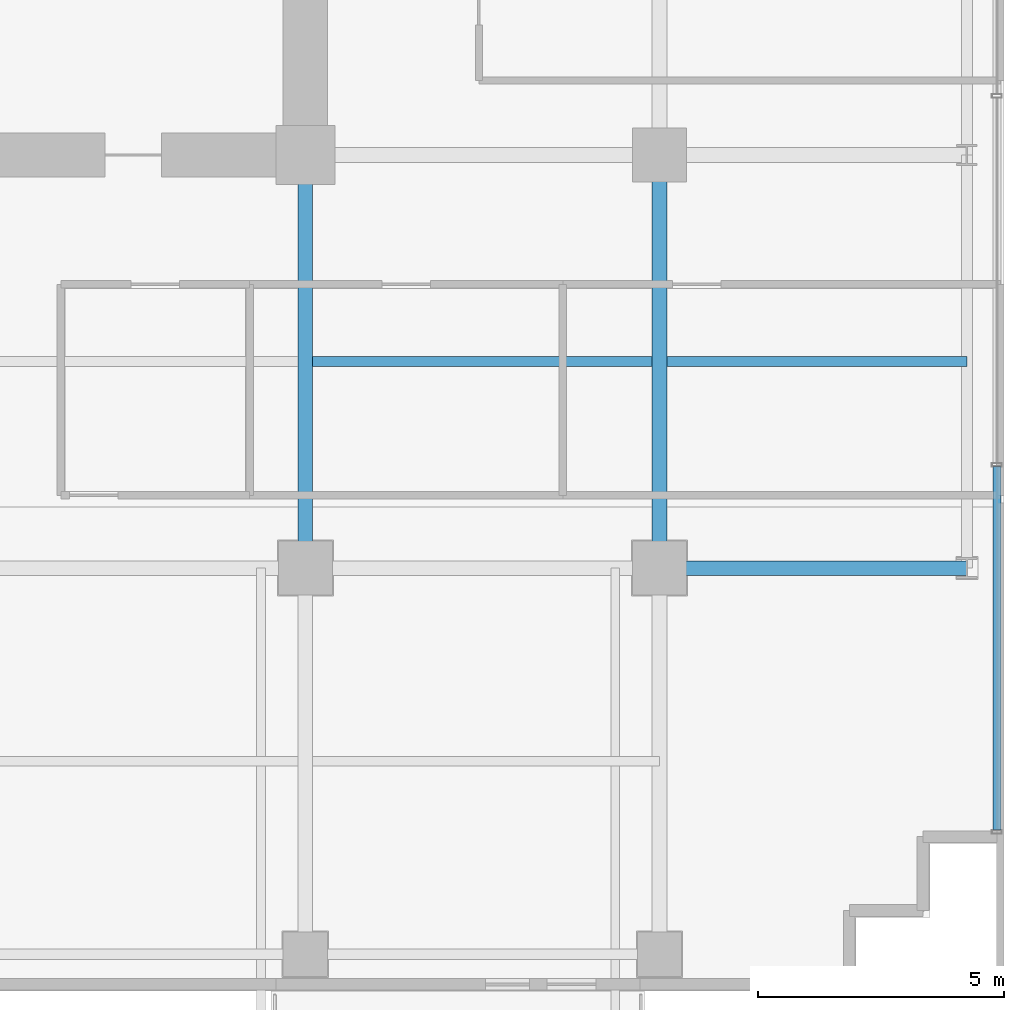
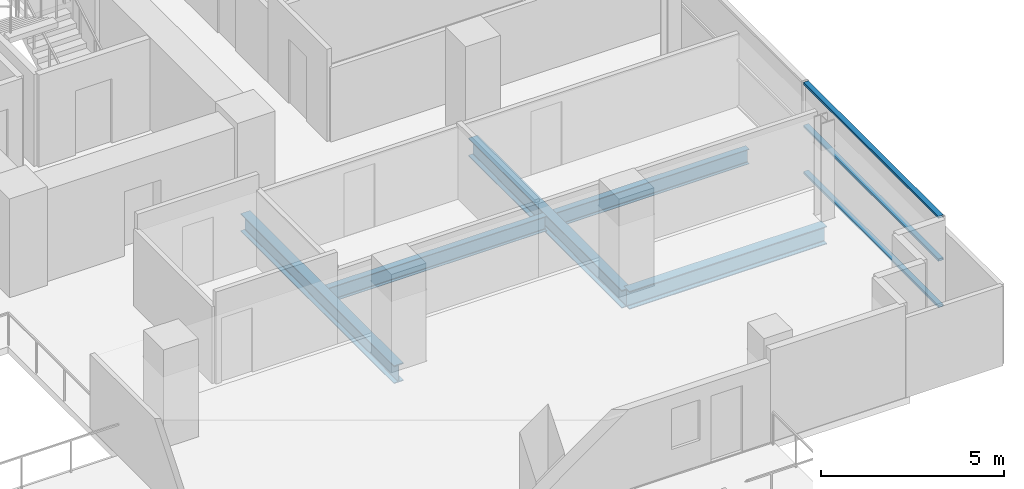
# One storey, part 12 of 31: 5 beams, 3 members, 1 element without a shape of its own.
"""IFC4 building model written with IfcOpenShell, lengths in metres."""

from ifc_helpers import new_model, si_unit, direction, frame, origin, origin_2d, place, context, subcontext, project, spatial, hollow_rectangle, i_section, extrude, source, transform, mapped, material, layer, layer_set, material_profile, profile_set, type_object, element, aggregate, save


model = new_model("IFC4")

# Units and contexts
model_context = context("Model", 3, precision=1e-05, world=origin(), true_north=direction((0.0, 1.0)))
body_context = subcontext(model_context, "Body", "Model", "MODEL_VIEW")
ifc_project = project(units=[si_unit("LENGTHUNIT", "METRE"), si_unit("AREAUNIT", "SQUARE_METRE"), si_unit("VOLUMEUNIT", "CUBIC_METRE"), si_unit("PLANEANGLEUNIT", "RADIAN"), si_unit("MASSUNIT", "GRAM", prefix="KILO")], contexts=[model_context])

# Site, building, storey
site_placement = place(None, origin())
site = spatial("IfcSite", under=ifc_project, at=site_placement, CompositionType="ELEMENT")
building_placement = place(site_placement, origin())
building = spatial("IfcBuilding", under=site, at=building_placement, Name="Zarnakvel Exchange Tower", CompositionType="ELEMENT")
storey_placement = place(building_placement, frame((0.0, 0.0, 47.199951171875)))
storey = spatial("IfcBuildingStorey", under=building, at=storey_placement, Name="L12", CompositionType="ELEMENT", Elevation=47.199951171875)

# Beams
ifc_material_1 = material(Name="Steel S355", Category="steel")
ifc_material_profile_1 = material_profile(ifc_material_1, i_section(OverallWidth=0.199951171875, OverallDepth=0.5, WebThickness=0.01025390625, FlangeThickness=0.01611328125, FilletRadius=0.02099609375, at=origin_2d()))
ifc_profile_set_1 = profile_set([ifc_material_profile_1], Name="Steel S355")
beam_type_1 = type_object("IfcBeamType", Name="B-04", PredefinedType="JOIST", material=ifc_profile_set_1)
beam_1_placement = place(storey_placement, frame((14.550048828125, -5.39990234375, -0.474853515625), z_axis=(1.0, 0.0, 0.0), x_axis=(0.0, 1.0, 0.0)))
element("IfcBeam", 1, at=beam_1_placement, inside=storey, type_object=beam_type_1, Name="L12 Composite Floor Secondary Joist", PredefinedType="JOIST", context=body_context, shape_type="SweptSolid", body=[
    extrude(i_section(OverallWidth=0.199951171875, OverallDepth=0.5, WebThickness=0.01025390625, FlangeThickness=0.01611328125, FilletRadius=0.02099609375, at=origin_2d()), origin(), (0.0, 0.0, 1.0), 6.89990234375),
])
beam_2_placement = place(storey_placement, frame((21.75, -5.39990234375, -0.474853515625), z_axis=(1.0, 0.0, 0.0), x_axis=(0.0, 1.0, 0.0)))
element("IfcBeam", 2, at=beam_2_placement, inside=storey, type_object=beam_type_1, Name="L12 Composite Floor Secondary Joist", PredefinedType="JOIST", context=body_context, shape_type="SweptSolid", body=[
    extrude(i_section(OverallWidth=0.199951171875, OverallDepth=0.5, WebThickness=0.01025390625, FlangeThickness=0.01611328125, FilletRadius=0.02099609375, at=origin_2d()), origin(), (0.0, 0.0, 1.0), 6.10009765625),
])
ifc_material_profile_2 = material_profile(ifc_material_1, i_section(OverallWidth=0.300048828125, OverallDepth=0.60009765625, WebThickness=0.015380859375, FlangeThickness=0.030029296875, FilletRadius=0.027099609375, at=origin_2d()))
ifc_profile_set_2 = profile_set([ifc_material_profile_2], Name="Steel S355")
beam_type_2 = type_object("IfcBeamType", Name="G-04", PredefinedType="BEAM", material=ifc_profile_set_2)
beam_3_placement = place(storey_placement, frame((21.60009765625, -9.60009765625, -0.52490234375), z_axis=(1.0, 0.0, 0.0), x_axis=(0.0, 1.0, 0.0)))
element("IfcBeam", 3, at=beam_3_placement, inside=storey, type_object=beam_type_2, Name="L12 Tower E-W Frame Beam", PredefinedType="BEAM", context=body_context, shape_type="SweptSolid", body=[
    extrude(i_section(OverallWidth=0.300048828125, OverallDepth=0.60009765625, WebThickness=0.015380859375, FlangeThickness=0.030029296875, FilletRadius=0.027099609375, at=origin_2d()), origin(), (0.0, 0.0, 1.0), 6.25),
])
for number, where, z_axis, x_axis, name in (
    (4, (14.39990234375, -9.60009765625, -0.52490234375), (0.0, 1.0, 0.0), (-1.0, 0.0, 0.0), "L12 Tower N-S Frame Beam"),
    (5, (21.60009765625, -9.60009765625, -0.52490234375), (0.0, 1.0, 0.0), (-1.0, 0.0, 0.0), "L12 Tower N-S Frame Beam"),
):
    element("IfcBeam", number, at=place(storey_placement, frame(where, z_axis=z_axis, x_axis=x_axis)), inside=storey, type_object=beam_type_2, Name=name, PredefinedType="BEAM", context=body_context, shape_type="SweptSolid", body=[
        extrude(i_section(OverallWidth=0.300048828125, OverallDepth=0.60009765625, WebThickness=0.015380859375, FlangeThickness=0.030029296875, FilletRadius=0.027099609375, at=origin_2d()), origin(), (0.0, 0.0, 1.0), 8.400146484375),
    ])

# Curtain wall, members
ifc_material_2 = material(Name="Architectural Bronze Anodised Aluminium", Category="aluminium")
ifc_layer = layer(ifc_material_2, 0.199951171875)
ifc_layer_set = layer_set([ifc_layer], Name="Architectural Bronze Anodised Aluminium")
curtain_wall_type = type_object("IfcCurtainWallType", Name="CW-04", PredefinedType="NOTDEFINED", material=ifc_layer_set)
curtain_wall_placement = place(storey_placement, origin())
curtain_wall = element("IfcCurtainWall", 6, at=curtain_wall_placement, inside=storey, type_object=curtain_wall_type, Name="L12 Curtain Wall CW-L12-E1 (CW-04)", PredefinedType="NOTDEFINED")
ifc_material_profile_3 = material_profile(ifc_material_2, hollow_rectangle(XDim=0.159912109375, YDim=0.074951171875, WallThickness=0.00390625, at=origin_2d()))
ifc_profile_set_3 = profile_set([ifc_material_profile_3], Name="Architectural Bronze Anodised Aluminium")
member_type = type_object("IfcMemberType", Name="CWT-04", PredefinedType="USERDEFINED", material=ifc_profile_set_3)
shared_shape = source(origin(), body_context, "Body", "SweptSolid", [
    extrude(hollow_rectangle(XDim=0.159912109375, YDim=0.074951171875, WallThickness=0.00390625, at=origin_2d()), origin(), (0.0, 0.0, 1.0), 7.387451171875),
])
member_1_placement = place(storey_placement, frame((28.4599609375, -14.925048828125, 0.03759765625), z_axis=(0.0, 1.0, 0.0), x_axis=(-1.0, 0.0, 0.0)))
member_1 = element("IfcMember", 7, at=member_1_placement, type_object=member_type, Name="CW-04 transom 1.1", ObjectType="TRANSOM", PredefinedType="USERDEFINED", context=body_context, shape_type="MappedRepresentation", body=[
    mapped(shared_shape, transform((0.0, 0.0, 0.0), x_axis=(1.0, 0.0, 0.0), y_axis=(0.0, 1.0, 0.0), z_axis=(0.0, 0.0, 1.0), scale=1.0)),
])
member_2_placement = place(storey_placement, frame((28.4599609375, -14.925048828125, 1.588623046875), z_axis=(0.0, 1.0, 0.0), x_axis=(-1.0, 0.0, 0.0)))
member_2 = element("IfcMember", 8, at=member_2_placement, type_object=member_type, Name="CW-04 transom 1.2", ObjectType="TRANSOM", PredefinedType="USERDEFINED", context=body_context, shape_type="MappedRepresentation", body=[
    mapped(shared_shape, transform((0.0, 0.0, 0.0), x_axis=(1.0, 0.0, 0.0), y_axis=(0.0, 1.0, 0.0), z_axis=(0.0, 0.0, 1.0), scale=1.0)),
])
member_3_placement = place(storey_placement, frame((28.4599609375, -14.925048828125, 3.017578125), z_axis=(0.0, 1.0, 0.0), x_axis=(-1.0, 0.0, 0.0)))
member_3 = element("IfcMember", 9, at=member_3_placement, type_object=member_type, Name="CW-04 transom 1.3", ObjectType="TRANSOM", PredefinedType="USERDEFINED", context=body_context, shape_type="MappedRepresentation", body=[
    mapped(shared_shape, transform((0.0, 0.0, 0.0), x_axis=(1.0, 0.0, 0.0), y_axis=(0.0, 1.0, 0.0), z_axis=(0.0, 0.0, 1.0), scale=1.0)),
])
aggregate(curtain_wall, [member_1, member_2, member_3])

save(model, "model.ifc")
